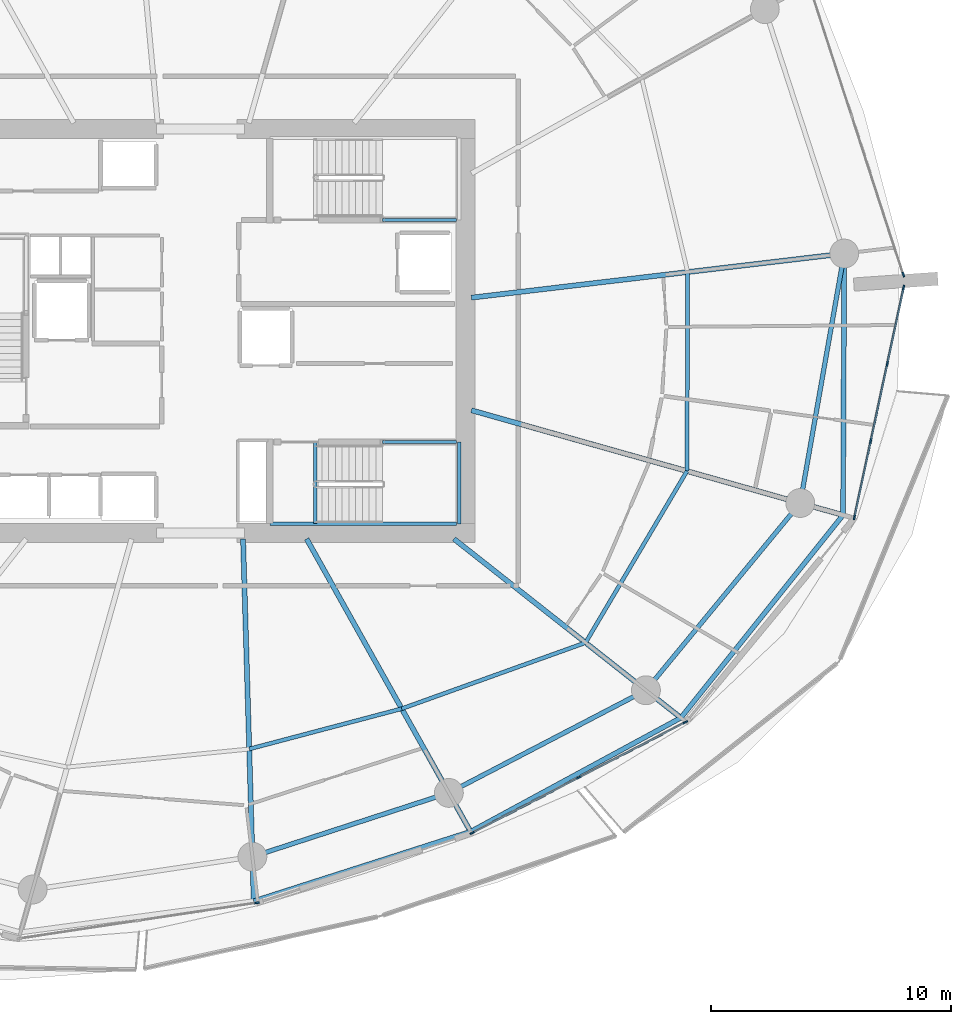
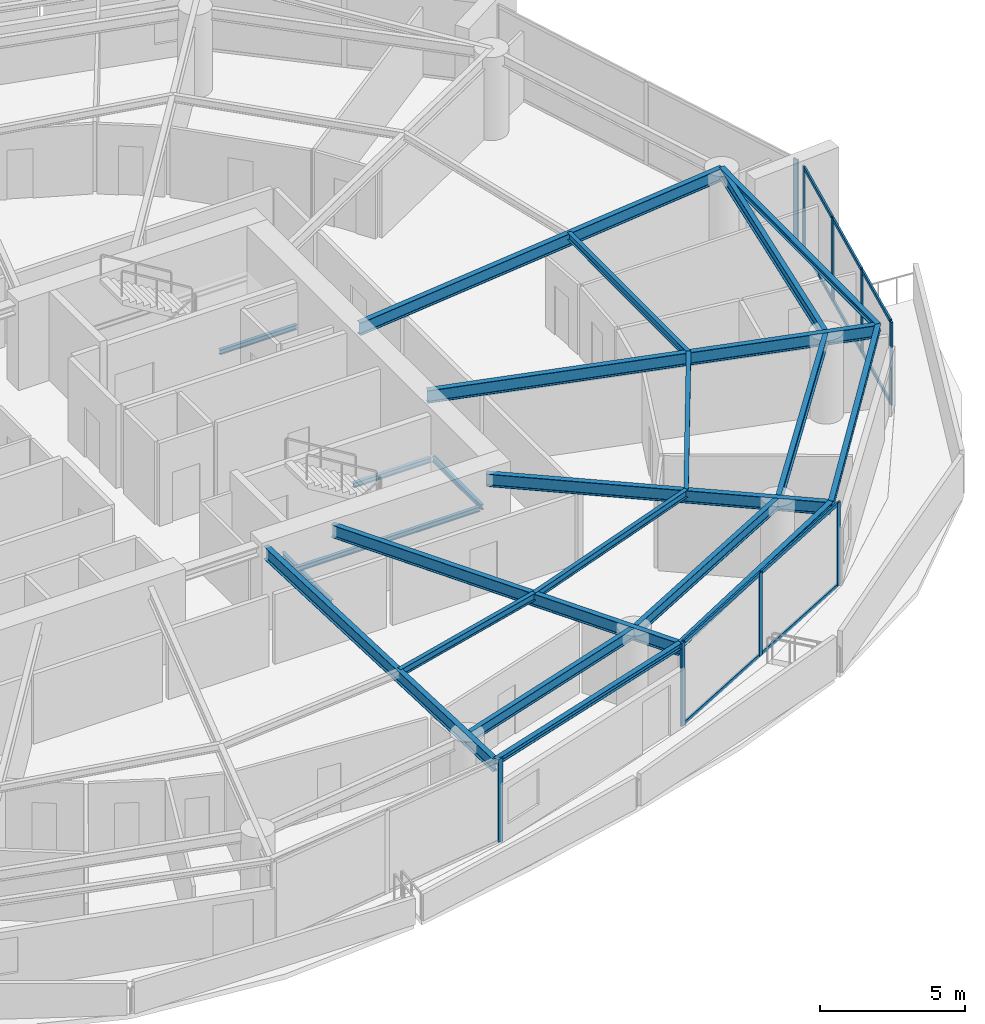
# One storey, part 7 of 22: 22 beams, 19 members, 4 elements without a shape of their own.
"""IFC4 building model written with IfcOpenShell, lengths in metres."""

from ifc_helpers import new_model, si_unit, direction, frame, origin, origin_2d, place, context, subcontext, project, spatial, rectangle, i_section, extrude, material, layer, layer_set, material_profile, profile_set, type_object, element, aggregate, save


model = new_model("IFC4")

# Units and contexts
model_context = context("Model", 3, precision=1e-05, world=origin(), true_north=direction((0.0, 1.0)))
body_context = subcontext(model_context, "Body", "Model", "MODEL_VIEW")
ifc_project = project(units=[si_unit("LENGTHUNIT", "METRE"), si_unit("AREAUNIT", "SQUARE_METRE"), si_unit("VOLUMEUNIT", "CUBIC_METRE"), si_unit("PLANEANGLEUNIT", "RADIAN"), si_unit("MASSUNIT", "GRAM", prefix="KILO")], contexts=[model_context])

# Site, building, storey
site_placement = place(None, origin())
site = spatial("IfcSite", under=ifc_project, at=site_placement, CompositionType="ELEMENT")
building_placement = place(site_placement, origin())
building = spatial("IfcBuilding", under=site, at=building_placement, Name="Kazma Halo Residences", CompositionType="ELEMENT")
storey_placement = place(building_placement, frame((0.0, 0.0, 93.89990234375)))
storey = spatial("IfcBuildingStorey", under=building, at=storey_placement, Name="L23", CompositionType="ELEMENT", Elevation=93.89990234375)

# Beams
ifc_material_1 = material(Name="Steel S355", Category="steel")
ifc_material_profile_1 = material_profile(ifc_material_1, i_section(OverallWidth=0.201904296875, OverallDepth=0.2470703125, WebThickness=0.00732421875, FlangeThickness=0.010986328125, FilletRadius=0.011962890625, at=origin_2d()), Name="W250x49.1")
ifc_profile_set_1 = profile_set([ifc_material_profile_1], Name="Steel S355")
beam_type_1 = type_object("IfcBeamType", Name="BM-BAL-CANT", PredefinedType="BEAM", material=ifc_profile_set_1)
beam_1_placement = place(storey_placement, frame((50.642578125, 18.28173828125, 3.376708984375), z_axis=(0.952319061301, 0.305103925709, 0.0), x_axis=(-0.305103925709, 0.952319061301, 0.0)))
element("IfcBeam", 1, at=beam_1_placement, inside=storey, type_object=beam_type_1, Name="L23 wave-balcony tie beam 12", PredefinedType="BEAM", context=body_context, shape_type="SweptSolid", body=[
    extrude(i_section(OverallWidth=0.201904296875, OverallDepth=0.2470703125, WebThickness=0.00732421875, FlangeThickness=0.010986328125, FilletRadius=0.011962890625, at=origin_2d()), origin(), (0.0, 0.0, 1.0), 9.473388671875),
])
beam_2_placement = place(storey_placement, frame((59.664306640625, 21.172119140625, 3.376708984375), z_axis=(0.87930438671, 0.476260218276, 0.0), x_axis=(-0.476260218276, 0.87930438671, 0.0)))
element("IfcBeam", 2, at=beam_2_placement, inside=storey, type_object=beam_type_1, Name="L23 wave-balcony tie beam 13", PredefinedType="BEAM", context=body_context, shape_type="SweptSolid", body=[
    extrude(i_section(OverallWidth=0.201904296875, OverallDepth=0.2470703125, WebThickness=0.00732421875, FlangeThickness=0.010986328125, FilletRadius=0.011962890625, at=origin_2d()), origin(), (0.0, 0.0, 1.0), 9.94677734375),
])
beam_3_placement = place(storey_placement, frame((68.41064453125, 25.909423828125, 3.376708984375), z_axis=(0.62477775999, 0.78080263231, 0.0), x_axis=(-0.78080263231, 0.62477775999, 0.0)))
element("IfcBeam", 3, at=beam_3_placement, inside=storey, type_object=beam_type_1, Name="L23 wave-balcony tie beam 14", PredefinedType="BEAM", context=body_context, shape_type="SweptSolid", body=[
    extrude(i_section(OverallWidth=0.201904296875, OverallDepth=0.2470703125, WebThickness=0.00732421875, FlangeThickness=0.010986328125, FilletRadius=0.011962890625, at=origin_2d()), origin(), (0.0, 0.0, 1.0), 10.79833984375),
])
beam_4_placement = place(storey_placement, frame((75.1572265625, 34.3408203125, 3.376708984375), z_axis=(0.004532963616, 0.999989726068, 0.0), x_axis=(-0.999989726068, 0.004532963616, 0.0)))
element("IfcBeam", 4, at=beam_4_placement, inside=storey, type_object=beam_type_1, Name="L23 wave-balcony tie beam 15", PredefinedType="BEAM", context=body_context, shape_type="SweptSolid", body=[
    extrude(i_section(OverallWidth=0.201904296875, OverallDepth=0.2470703125, WebThickness=0.00732421875, FlangeThickness=0.010986328125, FilletRadius=0.011962890625, at=origin_2d()), origin(), (0.0, 0.0, 1.0), 10.87939453125),
])
ifc_material_profile_2 = material_profile(ifc_material_1, i_section(OverallWidth=0.208984375, OverallDepth=0.532958984375, WebThickness=0.01025390625, FlangeThickness=0.015625, FilletRadius=0.01611328125, at=origin_2d()), Name="W530x92")
ifc_profile_set_2 = profile_set([ifc_material_profile_2], Name="Steel S355")
beam_type_2 = type_object("IfcBeamType", Name="BM-RAD-W530", PredefinedType="BEAM", material=ifc_profile_set_2)
beam_5_placement = place(storey_placement, frame((50.199951171875, 33.35009765625, 3.233642578125), z_axis=(0.029361929959, -0.999568845587, 0.0), x_axis=(0.999568845587, 0.029361929959, 0.0)))
element("IfcBeam", 5, at=beam_5_placement, inside=storey, type_object=beam_type_2, Name="L23 radial floor beam 12", PredefinedType="BEAM", context=body_context, shape_type="SweptSolid", body=[
    extrude(i_section(OverallWidth=0.208984375, OverallDepth=0.532958984375, WebThickness=0.01025390625, FlangeThickness=0.015625, FilletRadius=0.01611328125, at=origin_2d()), origin(), (0.0, 0.0, 1.0), 15.074951171875),
])
beam_6_placement = place(storey_placement, frame((52.84423828125, 33.35009765625, 3.233642578125), z_axis=(0.488625206529, -0.872493786536, 0.0), x_axis=(0.872493786536, 0.488625206529, 0.0)))
element("IfcBeam", 6, at=beam_6_placement, inside=storey, type_object=beam_type_2, Name="L23 radial floor beam 13", PredefinedType="BEAM", context=body_context, shape_type="SweptSolid", body=[
    extrude(i_section(OverallWidth=0.208984375, OverallDepth=0.532958984375, WebThickness=0.01025390625, FlangeThickness=0.015625, FilletRadius=0.01611328125, at=origin_2d()), origin(), (0.0, 0.0, 1.0), 13.957763671875),
])
beam_7_placement = place(storey_placement, frame((58.972412109375, 33.35009765625, 3.233642578125), z_axis=(0.785309999923, -0.619102741086, 0.0), x_axis=(0.619102741086, 0.785309999923, 0.0)))
element("IfcBeam", 7, at=beam_7_placement, inside=storey, type_object=beam_type_2, Name="L23 radial floor beam 14", PredefinedType="BEAM", context=body_context, shape_type="SweptSolid", body=[
    extrude(i_section(OverallWidth=0.208984375, OverallDepth=0.532958984375, WebThickness=0.01025390625, FlangeThickness=0.015625, FilletRadius=0.01611328125, at=origin_2d()), origin(), (0.0, 0.0, 1.0), 12.0185546875),
])
beam_8_placement = place(storey_placement, frame((59.699951171875, 38.7001953125, 3.233642578125), z_axis=(0.962455684158, -0.271438862419, 0.0), x_axis=(0.271438862419, 0.962455684158, 0.0)))
element("IfcBeam", 8, at=beam_8_placement, inside=storey, type_object=beam_type_2, Name="L23 radial floor beam 15", PredefinedType="BEAM", context=body_context, shape_type="SweptSolid", body=[
    extrude(i_section(OverallWidth=0.208984375, OverallDepth=0.532958984375, WebThickness=0.01025390625, FlangeThickness=0.015625, FilletRadius=0.01611328125, at=origin_2d()), origin(), (0.0, 0.0, 1.0), 16.060302734375),
])
beam_9_placement = place(storey_placement, frame((59.699951171875, 43.384765625, 3.233642578125), z_axis=(0.993067536486, 0.1175451742, 0.0), x_axis=(-0.1175451742, 0.993067536486, 0.0)))
element("IfcBeam", 9, at=beam_9_placement, inside=storey, type_object=beam_type_2, Name="L23 radial floor beam 16", PredefinedType="BEAM", context=body_context, shape_type="SweptSolid", body=[
    extrude(i_section(OverallWidth=0.208984375, OverallDepth=0.532958984375, WebThickness=0.01025390625, FlangeThickness=0.015625, FilletRadius=0.01611328125, at=origin_2d()), origin(), (0.0, 0.0, 1.0), 15.61474609375),
])
ifc_material_profile_3 = material_profile(ifc_material_1, i_section(OverallWidth=0.1650390625, OverallDepth=0.31005859375, WebThickness=0.005859375, FlangeThickness=0.009765625, FilletRadius=0.011962890625, at=origin_2d()), Name="W310x38.7")
ifc_profile_set_3 = profile_set([ifc_material_profile_3], Name="Steel S355")
beam_type_3 = type_object("IfcBeamType", Name="BM-SEC-W310B", PredefinedType="JOIST", material=ifc_profile_set_3)
beam_10_placement = place(storey_placement, frame((50.456787109375, 24.6103515625, 3.34521484375), z_axis=(0.966800191214, 0.255533540398, 0.0), x_axis=(-0.255533540398, 0.966800191214, 0.0)))
element("IfcBeam", 10, at=beam_10_placement, inside=storey, type_object=beam_type_3, Name="L23 circumferential floor joist 12", PredefinedType="JOIST", context=body_context, shape_type="SweptSolid", body=[
    extrude(i_section(OverallWidth=0.1650390625, OverallDepth=0.31005859375, WebThickness=0.005859375, FlangeThickness=0.009765625, FilletRadius=0.011962890625, at=origin_2d()), origin(), (0.0, 0.0, 1.0), 6.560791015625),
])
beam_11_placement = place(storey_placement, frame((56.7998046875, 26.286865234375, 3.34521484375), z_axis=(0.941097126818, 0.338136359913, 0.0), x_axis=(-0.338136359913, 0.941097126818, 0.0)))
element("IfcBeam", 11, at=beam_11_placement, inside=storey, type_object=beam_type_3, Name="L23 circumferential floor joist 13", PredefinedType="JOIST", context=body_context, shape_type="SweptSolid", body=[
    extrude(i_section(OverallWidth=0.1650390625, OverallDepth=0.31005859375, WebThickness=0.005859375, FlangeThickness=0.009765625, FilletRadius=0.011962890625, at=origin_2d()), origin(), (0.0, 0.0, 1.0), 8.12548828125),
])
beam_12_placement = place(storey_placement, frame((64.44677734375, 29.034423828125, 3.34521484375), z_axis=(0.508811652677, 0.860877867122, 0.0), x_axis=(-0.860877867122, 0.508811652677, 0.0)))
element("IfcBeam", 12, at=beam_12_placement, inside=storey, type_object=beam_type_3, Name="L23 circumferential floor joist 14", PredefinedType="JOIST", context=body_context, shape_type="SweptSolid", body=[
    extrude(i_section(OverallWidth=0.1650390625, OverallDepth=0.31005859375, WebThickness=0.005859375, FlangeThickness=0.009765625, FilletRadius=0.011962890625, at=origin_2d()), origin(), (0.0, 0.0, 1.0), 8.291015625),
])
beam_13_placement = place(storey_placement, frame((68.665283203125, 36.171875, 3.34521484375), z_axis=(0.003450899697, 0.999994045628, 0.0), x_axis=(-0.999994045628, 0.003450899697, 0.0)))
element("IfcBeam", 13, at=beam_13_placement, inside=storey, type_object=beam_type_3, Name="L23 circumferential floor joist 15", PredefinedType="JOIST", context=body_context, shape_type="SweptSolid", body=[
    extrude(i_section(OverallWidth=0.1650390625, OverallDepth=0.31005859375, WebThickness=0.005859375, FlangeThickness=0.009765625, FilletRadius=0.011962890625, at=origin_2d()), origin(), (0.0, 0.0, 1.0), 8.27734375),
])
ifc_material_profile_4 = material_profile(ifc_material_1, i_section(OverallWidth=0.18994140625, OverallDepth=0.45703125, WebThickness=0.009033203125, FlangeThickness=0.014404296875, FilletRadius=0.01611328125, at=origin_2d()), Name="W460x74")
ifc_profile_set_4 = profile_set([ifc_material_profile_4], Name="Steel S355")
beam_type_4 = type_object("IfcBeamType", Name="BM-SPN-W460", PredefinedType="BEAM", material=ifc_profile_set_4)
beam_14_placement = place(storey_placement, frame((50.58837890625, 20.130859375, 3.271484375), z_axis=(0.951054111927, 0.30902439416, 0.0), x_axis=(-0.30902439416, 0.951054111927, 0.0)))
element("IfcBeam", 14, at=beam_14_placement, inside=storey, type_object=beam_type_4, Name="L23 perimeter ring beam 12", PredefinedType="BEAM", context=body_context, shape_type="SweptSolid", body=[
    extrude(i_section(OverallWidth=0.18994140625, OverallDepth=0.45703125, WebThickness=0.009033203125, FlangeThickness=0.014404296875, FilletRadius=0.01611328125, at=origin_2d()), origin(), (0.0, 0.0, 1.0), 8.592529296875),
])
beam_15_placement = place(storey_placement, frame((58.76025390625, 22.7861328125, 3.271484375), z_axis=(0.886963229644, 0.461840047266, 0.0), x_axis=(-0.461840047266, 0.886963229644, 0.0)))
element("IfcBeam", 15, at=beam_15_placement, inside=storey, type_object=beam_type_4, Name="L23 perimeter ring beam 13", PredefinedType="BEAM", context=body_context, shape_type="SweptSolid", body=[
    extrude(i_section(OverallWidth=0.18994140625, OverallDepth=0.45703125, WebThickness=0.009033203125, FlangeThickness=0.014404296875, FilletRadius=0.01611328125, at=origin_2d()), origin(), (0.0, 0.0, 1.0), 9.242431640625),
])
beam_16_placement = place(storey_placement, frame((66.9580078125, 27.0546875, 3.271484375), z_axis=(0.635989564566, 0.771697656963, 0.0), x_axis=(-0.771697656963, 0.635989564566, 0.0)))
element("IfcBeam", 16, at=beam_16_placement, inside=storey, type_object=beam_type_4, Name="L23 perimeter ring beam 14", PredefinedType="BEAM", context=body_context, shape_type="SweptSolid", body=[
    extrude(i_section(OverallWidth=0.18994140625, OverallDepth=0.45703125, WebThickness=0.009033203125, FlangeThickness=0.014404296875, FilletRadius=0.01611328125, at=origin_2d()), origin(), (0.0, 0.0, 1.0), 10.092529296875),
])
beam_17_placement = place(storey_placement, frame((73.376708984375, 34.843017578125, 3.271484375), z_axis=(0.173653159051, 0.984806874647, 0.0), x_axis=(-0.984806874647, 0.173653159051, 0.0)))
element("IfcBeam", 17, at=beam_17_placement, inside=storey, type_object=beam_type_4, Name="L23 perimeter ring beam 15", PredefinedType="BEAM", context=body_context, shape_type="SweptSolid", body=[
    extrude(i_section(OverallWidth=0.18994140625, OverallDepth=0.45703125, WebThickness=0.009033203125, FlangeThickness=0.014404296875, FilletRadius=0.01611328125, at=origin_2d()), origin(), (0.0, 0.0, 1.0), 10.537353515625),
])
ifc_material_profile_5 = material_profile(ifc_material_1, i_section(OverallWidth=0.133056640625, OverallDepth=0.20703125, WebThickness=0.005859375, FlangeThickness=0.00830078125, FilletRadius=0.010009765625, at=origin_2d()), Name="W200x26.6")
ifc_profile_set_5 = profile_set([ifc_material_profile_5], Name="Steel S355")
beam_type_5 = type_object("IfcBeamType", Name="BM-TRIM-W200", PredefinedType="BEAM", material=ifc_profile_set_5)
beam_18_placement = place(storey_placement, frame((53.199951171875, 34.0, -0.35986328125), z_axis=(0.0, 1.0, 0.0), x_axis=(-1.0, 0.0, 0.0)))
element("IfcBeam", 18, at=beam_18_placement, inside=storey, type_object=beam_type_5, Name="L23 ST-03 floor landing support beam", PredefinedType="BEAM", context=body_context, shape_type="SweptSolid", body=[
    extrude(i_section(OverallWidth=0.133056640625, OverallDepth=0.20703125, WebThickness=0.005859375, FlangeThickness=0.00830078125, FilletRadius=0.010009765625, at=origin_2d()), origin(), (0.0, 0.0, 1.0), 3.3798828125),
])
beam_19_placement = place(storey_placement, frame((56.0, 46.6201171875, 1.570068359375), z_axis=(1.0, 0.0, 0.0), x_axis=(0.0, 1.0, 0.0)))
element("IfcBeam", 19, at=beam_19_placement, inside=storey, type_object=beam_type_5, Name="L23 ST-02 landing south wall ledger", PredefinedType="BEAM", context=body_context, shape_type="SweptSolid", body=[
    extrude(i_section(OverallWidth=0.133056640625, OverallDepth=0.20703125, WebThickness=0.005859375, FlangeThickness=0.00830078125, FilletRadius=0.010009765625, at=origin_2d()), origin(), (0.0, 0.0, 1.0), 3.070068359375),
])
beam_20_placement = place(storey_placement, frame((51.31005859375, 33.97998046875, 1.570068359375), z_axis=(1.0, 0.0, 0.0), x_axis=(0.0, 1.0, 0.0)))
element("IfcBeam", 20, at=beam_20_placement, inside=storey, type_object=beam_type_5, Name="L23 ST-03 landing south wall ledger", PredefinedType="BEAM", context=body_context, shape_type="SweptSolid", body=[
    extrude(i_section(OverallWidth=0.133056640625, OverallDepth=0.20703125, WebThickness=0.005859375, FlangeThickness=0.00830078125, FilletRadius=0.010009765625, at=origin_2d()), origin(), (0.0, 0.0, 1.0), 7.760009765625),
])
beam_21_placement = place(storey_placement, frame((56.0, 37.3798828125, 1.570068359375), z_axis=(1.0, 0.0, 0.0), x_axis=(0.0, 1.0, 0.0)))
element("IfcBeam", 21, at=beam_21_placement, inside=storey, type_object=beam_type_5, Name="L23 ST-03 landing north wall ledger", PredefinedType="BEAM", context=body_context, shape_type="SweptSolid", body=[
    extrude(i_section(OverallWidth=0.133056640625, OverallDepth=0.20703125, WebThickness=0.005859375, FlangeThickness=0.00830078125, FilletRadius=0.010009765625, at=origin_2d()), origin(), (0.0, 0.0, 1.0), 3.070068359375),
])
beam_22_placement = place(storey_placement, frame((59.18994140625, 33.97998046875, 1.570068359375), z_axis=(0.0, 1.0, 0.0), x_axis=(-1.0, 0.0, 0.0)))
element("IfcBeam", 22, at=beam_22_placement, inside=storey, type_object=beam_type_5, Name="L23 ST-03 landing end wall ledger", PredefinedType="BEAM", context=body_context, shape_type="SweptSolid", body=[
    extrude(i_section(OverallWidth=0.133056640625, OverallDepth=0.20703125, WebThickness=0.005859375, FlangeThickness=0.00830078125, FilletRadius=0.010009765625, at=origin_2d()), origin(), (0.0, 0.0, 1.0), 3.39990234375),
])

# Curtain wall, member
ifc_material_2 = material(Name="Aluminium AW-6063 T6 and Triple-Silver Low-E Glass", Category="aluminium")
ifc_layer = layer(ifc_material_2, 0.199951171875)
ifc_layer_set = layer_set([ifc_layer], Name="Aluminium AW-6063 T6 and Triple-Silver Low-E Glass")
curtain_wall_type = type_object("IfcCurtainWallType", Name="CW-SYS-3", PredefinedType="NOTDEFINED", material=ifc_layer_set)
curtain_wall_1_placement = place(storey_placement, origin())
curtain_wall_1 = element("IfcCurtainWall", 23, at=curtain_wall_1_placement, inside=storey, type_object=curtain_wall_type, Name="L23 unitised curtain wall B11", PredefinedType="NOTDEFINED")
ifc_material_3 = material(Name="Aluminium AW-6063 T6", Category="aluminium")
ifc_material_profile_6 = material_profile(ifc_material_3, rectangle(XDim=0.070068359375, YDim=0.199951171875, at=origin_2d()), Name="CWM-70x200")
ifc_profile_set_6 = profile_set([ifc_material_profile_6], Name="Aluminium AW-6063 T6")
member_type_1 = type_object("IfcMemberType", Name="CW-SYS-3-MUL", PredefinedType="MULLION", material=ifc_profile_set_6)
member_1_placement = place(storey_placement, frame((50.780029296875, 18.21337890625, 0.0), z_axis=(0.0, 0.0, 1.0), x_axis=(-0.148717330409, 0.988879747814, 0.0)))
member_1 = element("IfcMember", 24, at=member_1_placement, type_object=member_type_1, Name="CWS-3 mullion 3", PredefinedType="MULLION", context=body_context, shape_type="SweptSolid", body=[
    extrude(rectangle(XDim=0.070068359375, YDim=0.199951171875, at=origin_2d()), origin(), (0.0, 0.0, 1.0), 3.5),
])
aggregate(curtain_wall_1, [member_1])

# Curtain wall, members
curtain_wall_2_placement = place(storey_placement, origin())
curtain_wall_2 = element("IfcCurtainWall", 25, at=curtain_wall_2_placement, inside=storey, type_object=curtain_wall_type, Name="L23 unitised curtain wall B13", PredefinedType="NOTDEFINED")
member_2_placement = place(storey_placement, frame((59.732177734375, 21.1220703125, 0.0), z_axis=(0.0, 0.0, 1.0), x_axis=(-0.460932159481, 0.887435374749, 0.0)))
member_2 = element("IfcMember", 26, at=member_2_placement, type_object=member_type_1, Name="CWS-3 mullion 1", PredefinedType="MULLION", context=body_context, shape_type="SweptSolid", body=[
    extrude(rectangle(XDim=0.070068359375, YDim=0.199951171875, at=origin_2d()), origin(), (0.0, 0.0, 1.0), 3.5),
])
member_3_placement = place(storey_placement, frame((64.1630859375, 23.42333984375, 0.0), z_axis=(0.0, 0.0, 1.0), x_axis=(-0.460932159481, 0.887435374749, 0.0)))
member_3 = element("IfcMember", 27, at=member_3_placement, type_object=member_type_1, Name="CWS-3 mullion 2", PredefinedType="MULLION", context=body_context, shape_type="SweptSolid", body=[
    extrude(rectangle(XDim=0.070068359375, YDim=0.199951171875, at=origin_2d()), origin(), (0.0, 0.0, 1.0), 3.5),
])
member_4_placement = place(storey_placement, frame((68.59375, 25.724609375, 0.0), z_axis=(0.0, 0.0, 1.0), x_axis=(-0.460932159481, 0.887435374749, 0.0)))
member_4 = element("IfcMember", 28, at=member_4_placement, type_object=member_type_1, Name="CWS-3 mullion 3", PredefinedType="MULLION", context=body_context, shape_type="SweptSolid", body=[
    extrude(rectangle(XDim=0.070068359375, YDim=0.199951171875, at=origin_2d()), origin(), (0.0, 0.0, 1.0), 3.5),
])

curtain_wall_3_placement = place(storey_placement, origin())
curtain_wall_3 = element("IfcCurtainWall", 29, at=curtain_wall_3_placement, inside=storey, type_object=curtain_wall_type, Name="L23 unitised curtain wall B15", PredefinedType="NOTDEFINED")
member_5_placement = place(storey_placement, frame((75.6259765625, 34.244873046875, 0.0), z_axis=(0.0, 0.0, 1.0), x_axis=(-0.977774176093, 0.209660822677, 0.0)))
member_5 = element("IfcMember", 30, at=member_5_placement, type_object=member_type_1, Name="CWS-3 mullion 1", PredefinedType="MULLION", context=body_context, shape_type="SweptSolid", body=[
    extrude(rectangle(XDim=0.070068359375, YDim=0.199951171875, at=origin_2d()), origin(), (0.0, 0.0, 1.0), 3.5),
])
member_6_placement = place(storey_placement, frame((76.30712890625, 37.4208984375, 0.0), z_axis=(0.0, 0.0, 1.0), x_axis=(-0.977774176093, 0.209660822677, 0.0)))
member_6 = element("IfcMember", 31, at=member_6_placement, type_object=member_type_1, Name="CWS-3 mullion 2", PredefinedType="MULLION", context=body_context, shape_type="SweptSolid", body=[
    extrude(rectangle(XDim=0.070068359375, YDim=0.199951171875, at=origin_2d()), origin(), (0.0, 0.0, 1.0), 3.5),
])
member_7_placement = place(storey_placement, frame((76.995361328125, 40.63134765625, 0.0), z_axis=(0.0, 0.0, 1.0), x_axis=(-0.977774176093, 0.209660822677, 0.0)))
member_7 = element("IfcMember", 32, at=member_7_placement, type_object=member_type_1, Name="CWS-3 mullion 3", PredefinedType="MULLION", context=body_context, shape_type="SweptSolid", body=[
    extrude(rectangle(XDim=0.070068359375, YDim=0.199951171875, at=origin_2d()), origin(), (0.0, 0.0, 1.0), 3.5),
])
member_8_placement = place(storey_placement, frame((77.676513671875, 43.807373046875, 0.0), z_axis=(0.0, 0.0, 1.0), x_axis=(-0.977774176093, 0.209660822677, 0.0)))
member_8 = element("IfcMember", 33, at=member_8_placement, type_object=member_type_1, Name="CWS-3 mullion 4", PredefinedType="MULLION", context=body_context, shape_type="SweptSolid", body=[
    extrude(rectangle(XDim=0.070068359375, YDim=0.199951171875, at=origin_2d()), origin(), (0.0, 0.0, 1.0), 3.5),
])

# Curtain wall, member
curtain_wall_4_placement = place(storey_placement, origin())
curtain_wall_4 = element("IfcCurtainWall", 34, at=curtain_wall_4_placement, inside=storey, type_object=curtain_wall_type, Name="L23 unitised curtain wall B16", PredefinedType="NOTDEFINED")
member_9_placement = place(storey_placement, frame((77.665283203125, 44.3427734375, 0.0), z_axis=(0.0, 0.0, 1.0), x_axis=(-0.951057722508, -0.309013282008, 0.0)))
member_9 = element("IfcMember", 35, at=member_9_placement, type_object=member_type_1, Name="CWS-3 mullion 1", PredefinedType="MULLION", context=body_context, shape_type="SweptSolid", body=[
    extrude(rectangle(XDim=0.070068359375, YDim=0.199951171875, at=origin_2d()), origin(), (0.0, 0.0, 1.0), 3.5),
])
aggregate(curtain_wall_4, [member_9])

# Member
ifc_material_profile_7 = material_profile(ifc_material_3, rectangle(XDim=0.070068359375, YDim=0.14990234375, at=origin_2d()), Name="CWT-70x150")
ifc_profile_set_7 = profile_set([ifc_material_profile_7], Name="Aluminium AW-6063 T6")
member_type_2 = type_object("IfcMemberType", Name="CW-SYS-3-TRN", PredefinedType="USERDEFINED", material=ifc_profile_set_7)
member_10_placement = place(storey_placement, frame((59.763427734375, 21.13818359375, 0.03515625), z_axis=(0.887427024944, 0.460948235054, 0.0), x_axis=(-0.460948235054, 0.887427024944, 0.0)))
member_10 = element("IfcMember", 36, at=member_10_placement, type_object=member_type_2, Name="CWS-3 transom 1.1", ObjectType="TRANSOM", PredefinedType="USERDEFINED", context=body_context, shape_type="SweptSolid", body=[
    extrude(rectangle(XDim=0.070068359375, YDim=0.14990234375, at=origin_2d()), origin(), (0.0, 0.0, 1.0), 4.922607421875),
])

member_11_placement = place(storey_placement, frame((59.763427734375, 21.13818359375, 3.465087890625), z_axis=(0.887427024944, 0.460948235054, 0.0), x_axis=(-0.460948235054, 0.887427024944, 0.0)))
member_11 = element("IfcMember", 37, at=member_11_placement, type_object=member_type_2, Name="CWS-3 transom 1.2", ObjectType="TRANSOM", PredefinedType="USERDEFINED", context=body_context, shape_type="SweptSolid", body=[
    extrude(rectangle(XDim=0.070068359375, YDim=0.14990234375, at=origin_2d()), origin(), (0.0, 0.0, 1.0), 4.922607421875),
])

member_12_placement = place(storey_placement, frame((64.194091796875, 23.439453125, 0.03515625), z_axis=(0.887437562141, 0.460927948058, 0.0), x_axis=(-0.460927948058, 0.887437562141, 0.0)))
member_12 = element("IfcMember", 38, at=member_12_placement, type_object=member_type_2, Name="CWS-3 transom 2.1", ObjectType="TRANSOM", PredefinedType="USERDEFINED", context=body_context, shape_type="SweptSolid", body=[
    extrude(rectangle(XDim=0.070068359375, YDim=0.14990234375, at=origin_2d()), origin(), (0.0, 0.0, 1.0), 4.9228515625),
])

member_13_placement = place(storey_placement, frame((64.194091796875, 23.439453125, 3.465087890625), z_axis=(0.887437562141, 0.460927948058, 0.0), x_axis=(-0.460927948058, 0.887437562141, 0.0)))
member_13 = element("IfcMember", 39, at=member_13_placement, type_object=member_type_2, Name="CWS-3 transom 2.2", ObjectType="TRANSOM", PredefinedType="USERDEFINED", context=body_context, shape_type="SweptSolid", body=[
    extrude(rectangle(XDim=0.070068359375, YDim=0.14990234375, at=origin_2d()), origin(), (0.0, 0.0, 1.0), 4.9228515625),
])

aggregate(curtain_wall_2, [member_2, member_3, member_4, member_10, member_11, member_12, member_13])

member_14_placement = place(storey_placement, frame((75.63330078125, 34.279052734375, 0.03515625), z_axis=(0.209702197956, 0.977765303216, 0.0), x_axis=(-0.977765303216, 0.209702197956, 0.0)))
member_14 = element("IfcMember", 40, at=member_14_placement, type_object=member_type_2, Name="CWS-3 transom 1.1", ObjectType="TRANSOM", PredefinedType="USERDEFINED", context=body_context, shape_type="SweptSolid", body=[
    extrude(rectangle(XDim=0.070068359375, YDim=0.14990234375, at=origin_2d()), origin(), (0.0, 0.0, 1.0), 3.17822265625),
])

member_15_placement = place(storey_placement, frame((75.63330078125, 34.279052734375, 3.465087890625), z_axis=(0.209702197956, 0.977765303216, 0.0), x_axis=(-0.977765303216, 0.209702197956, 0.0)))
member_15 = element("IfcMember", 41, at=member_15_placement, type_object=member_type_2, Name="CWS-3 transom 1.2", ObjectType="TRANSOM", PredefinedType="USERDEFINED", context=body_context, shape_type="SweptSolid", body=[
    extrude(rectangle(XDim=0.070068359375, YDim=0.14990234375, at=origin_2d()), origin(), (0.0, 0.0, 1.0), 3.17822265625),
])

member_16_placement = place(storey_placement, frame((76.314453125, 37.455078125, 0.03515625), z_axis=(0.209627675811, 0.977781283076, 0.0), x_axis=(-0.977781283076, 0.209627675811, 0.0)))
member_16 = element("IfcMember", 42, at=member_16_placement, type_object=member_type_2, Name="CWS-3 transom 2.1", ObjectType="TRANSOM", PredefinedType="USERDEFINED", context=body_context, shape_type="SweptSolid", body=[
    extrude(rectangle(XDim=0.070068359375, YDim=0.14990234375, at=origin_2d()), origin(), (0.0, 0.0, 1.0), 3.213134765625),
])

member_17_placement = place(storey_placement, frame((76.314453125, 37.455078125, 3.465087890625), z_axis=(0.209627675811, 0.977781283076, 0.0), x_axis=(-0.977781283076, 0.209627675811, 0.0)))
member_17 = element("IfcMember", 43, at=member_17_placement, type_object=member_type_2, Name="CWS-3 transom 2.2", ObjectType="TRANSOM", PredefinedType="USERDEFINED", context=body_context, shape_type="SweptSolid", body=[
    extrude(rectangle(XDim=0.070068359375, YDim=0.14990234375, at=origin_2d()), origin(), (0.0, 0.0, 1.0), 3.213134765625),
])

member_18_placement = place(storey_placement, frame((77.002685546875, 40.66552734375, 0.03515625), z_axis=(0.209717949017, 0.977761924939, 0.0), x_axis=(-0.977761924939, 0.209717949017, 0.0)))
member_18 = element("IfcMember", 44, at=member_18_placement, type_object=member_type_2, Name="CWS-3 transom 3.1", ObjectType="TRANSOM", PredefinedType="USERDEFINED", context=body_context, shape_type="SweptSolid", body=[
    extrude(rectangle(XDim=0.070068359375, YDim=0.14990234375, at=origin_2d()), origin(), (0.0, 0.0, 1.0), 3.177978515625),
])

member_19_placement = place(storey_placement, frame((77.002685546875, 40.66552734375, 3.465087890625), z_axis=(0.209717949017, 0.977761924939, 0.0), x_axis=(-0.977761924939, 0.209717949017, 0.0)))
member_19 = element("IfcMember", 45, at=member_19_placement, type_object=member_type_2, Name="CWS-3 transom 3.2", ObjectType="TRANSOM", PredefinedType="USERDEFINED", context=body_context, shape_type="SweptSolid", body=[
    extrude(rectangle(XDim=0.070068359375, YDim=0.14990234375, at=origin_2d()), origin(), (0.0, 0.0, 1.0), 3.177978515625),
])

aggregate(curtain_wall_3, [member_5, member_6, member_7, member_8, member_14, member_15, member_16, member_17, member_18, member_19])

save(model, "model.ifc")
